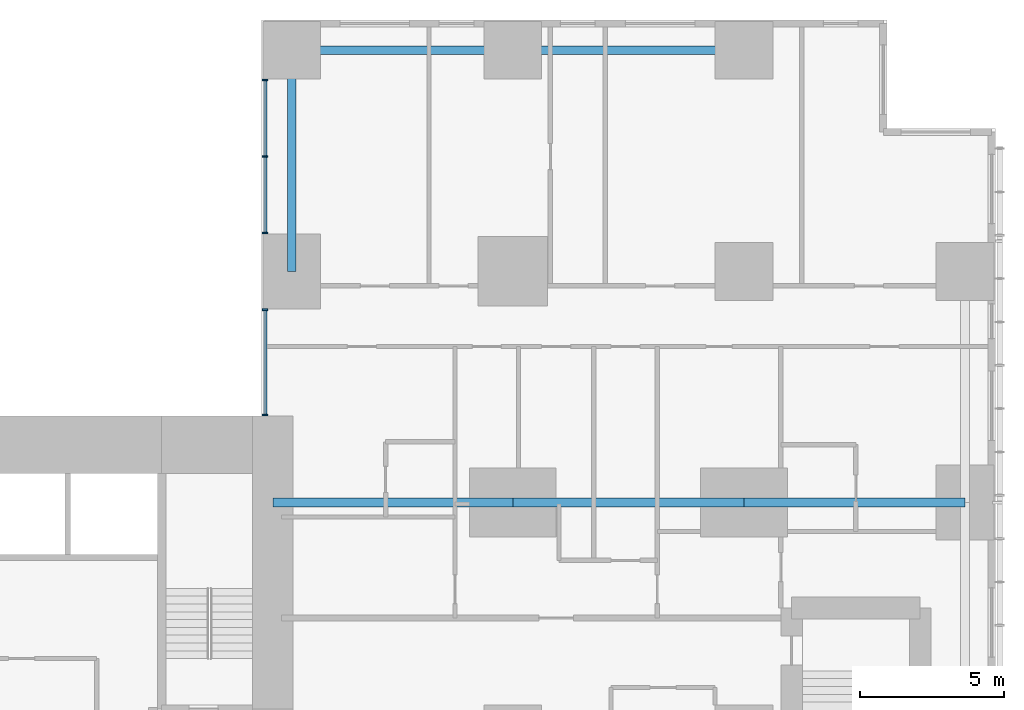
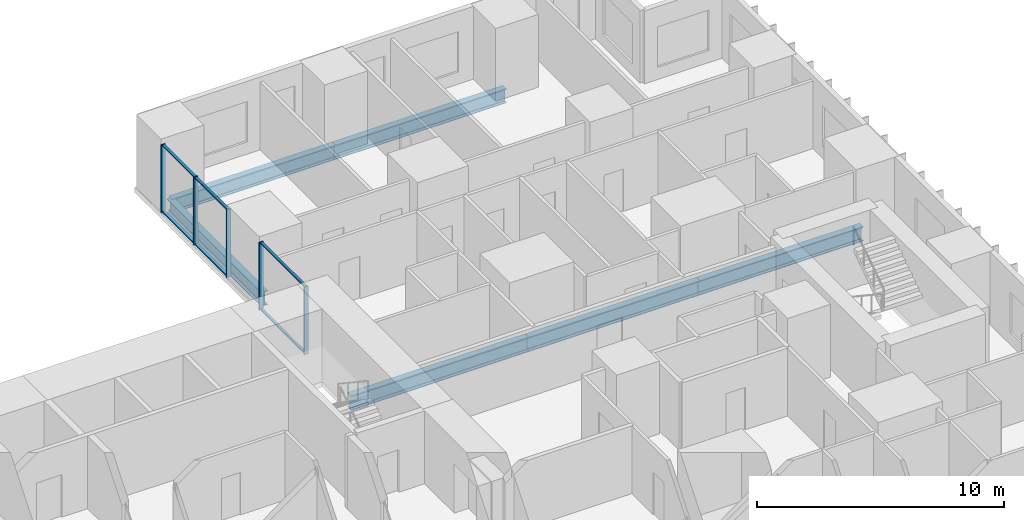
# One storey, part 5 of 22: 11 members, 6 beams, 2 elements without a shape of their own.
"""IFC4 building model written with IfcOpenShell, lengths in metres."""

from ifc_helpers import new_model, si_unit, direction, frame, origin, origin_2d, place, context, subcontext, project, spatial, rectangle, i_section, extrude, material, layer, layer_set, material_profile, profile_set, type_object, element, aggregate, save


model = new_model("IFC4")

# Units and contexts
model_context = context("Model", 3, precision=1e-05, world=origin(), true_north=direction((0.0, 1.0)))
body_context = subcontext(model_context, "Body", "Model", "MODEL_VIEW")
ifc_project = project(units=[si_unit("LENGTHUNIT", "METRE"), si_unit("AREAUNIT", "SQUARE_METRE"), si_unit("VOLUMEUNIT", "CUBIC_METRE"), si_unit("PLANEANGLEUNIT", "RADIAN"), si_unit("MASSUNIT", "GRAM", prefix="KILO")], contexts=[model_context])

# Site, building, storey
site_placement = place(None, origin())
site = spatial("IfcSite", under=ifc_project, at=site_placement, CompositionType="ELEMENT")
building_placement = place(site_placement, origin())
building = spatial("IfcBuilding", under=site, at=building_placement, Name="Cleftline Residences", CompositionType="ELEMENT")
storey_placement = place(building_placement, frame((0.0, 0.0, 29.60009765625)))
storey = spatial("IfcBuildingStorey", under=building, at=storey_placement, Name="L06", CompositionType="ELEMENT", Elevation=29.60009765625)

# Beams
ifc_material_1 = material(Name="Steel S355", Category="steel")
ifc_material_profile_1 = material_profile(ifc_material_1, i_section(OverallWidth=0.300048828125, OverallDepth=0.699951171875, WebThickness=0.01708984375, FlangeThickness=0.031982421875, FilletRadius=0.027099609375, at=origin_2d()))
ifc_profile_set_1 = profile_set([ifc_material_profile_1], Name="Steel S355")
beam_type_1 = type_object("IfcBeamType", Name="BEAM HEB 700", PredefinedType="BEAM", material=ifc_profile_set_1)
beam_1_placement = place(storey_placement, frame((58.0, 47.64990234375, -0.60009765625), z_axis=(-1.0, 0.0, 0.0), x_axis=(0.0, -1.0, 0.0)))
element("IfcBeam", 1, at=beam_1_placement, inside=storey, type_object=beam_type_1, Name="Edge beam", PredefinedType="BEAM", context=body_context, shape_type="SweptSolid", body=[
    extrude(i_section(OverallWidth=0.300048828125, OverallDepth=0.699951171875, WebThickness=0.01708984375, FlangeThickness=0.031982421875, FilletRadius=0.027099609375, at=origin_2d()), origin(), (0.0, 0.0, 1.0), 8.0),
])
for number, where, z_axis, x_axis, name in (
    (2, (50.0, 47.64990234375, -0.60009765625), (-1.0, 0.0, 0.0), (0.0, -1.0, 0.0), "Edge beam"),
    (3, (42.35009765625, 47.64990234375, -0.60009765625), (0.0, -1.0, 0.0), (1.0, 0.0, 0.0), "Edge beam"),
):
    element("IfcBeam", number, at=place(storey_placement, frame(where, z_axis=z_axis, x_axis=x_axis)), inside=storey, type_object=beam_type_1, Name=name, PredefinedType="BEAM", context=body_context, shape_type="SweptSolid", body=[
        extrude(i_section(OverallWidth=0.300048828125, OverallDepth=0.699951171875, WebThickness=0.01708984375, FlangeThickness=0.031982421875, FilletRadius=0.027099609375, at=origin_2d()), origin(), (0.0, 0.0, 1.0), 7.64990234375),
    ])
ifc_material_2 = material(Name="Steel S355", Category="steel")
ifc_material_profile_2 = material_profile(ifc_material_2, i_section(OverallWidth=0.303955078125, OverallDepth=0.716064453125, WebThickness=0.02099609375, FlangeThickness=0.0400390625, FilletRadius=0.027099609375, at=origin_2d()))
ifc_profile_set_2 = profile_set([ifc_material_profile_2], Name="Steel S355")
beam_type_2 = type_object("IfcBeamType", Name="BEAM HEM 700", PredefinedType="BEAM", material=ifc_profile_set_2)
beam_2_placement = place(storey_placement, frame((65.64990234375, 32.0, -0.608154296875), z_axis=(-1.0, 0.0, 0.0), x_axis=(0.0, -1.0, 0.0)))
element("IfcBeam", 4, at=beam_2_placement, inside=storey, type_object=beam_type_2, Name="Band beam", PredefinedType="BEAM", context=body_context, shape_type="SweptSolid", body=[
    extrude(i_section(OverallWidth=0.303955078125, OverallDepth=0.716064453125, WebThickness=0.02099609375, FlangeThickness=0.0400390625, FilletRadius=0.027099609375, at=origin_2d()), origin(), (0.0, 0.0, 1.0), 7.64990234375),
])
beam_3_placement = place(storey_placement, frame((58.0, 32.0, -0.608154296875), z_axis=(-1.0, 0.0, 0.0), x_axis=(0.0, -1.0, 0.0)))
element("IfcBeam", 5, at=beam_3_placement, inside=storey, type_object=beam_type_2, Name="Band beam", PredefinedType="BEAM", context=body_context, shape_type="SweptSolid", body=[
    extrude(i_section(OverallWidth=0.303955078125, OverallDepth=0.716064453125, WebThickness=0.02099609375, FlangeThickness=0.0400390625, FilletRadius=0.027099609375, at=origin_2d()), origin(), (0.0, 0.0, 1.0), 8.0),
])
beam_4_placement = place(storey_placement, frame((50.0, 32.0, -0.608154296875), z_axis=(-1.0, 0.0, 0.0), x_axis=(0.0, -1.0, 0.0)))
element("IfcBeam", 6, at=beam_4_placement, inside=storey, type_object=beam_type_2, Name="Band beam", PredefinedType="BEAM", context=body_context, shape_type="SweptSolid", body=[
    extrude(i_section(OverallWidth=0.303955078125, OverallDepth=0.716064453125, WebThickness=0.02099609375, FlangeThickness=0.0400390625, FilletRadius=0.027099609375, at=origin_2d()), origin(), (0.0, 0.0, 1.0), 8.300048828125),
])

# Curtain wall, members
ifc_material_3 = material(Name="Aluminium framed curtain wall", Category="aluminium")
ifc_layer = layer(ifc_material_3, 0.199951171875)
ifc_layer_set = layer_set([ifc_layer], Name="CW1 CLEFT GLAZING")
curtain_wall_type = type_object("IfcCurtainWallType", Name="CW1 CLEFT GLAZING", PredefinedType="NOTDEFINED", material=ifc_layer_set)
curtain_wall_1_placement = place(storey_placement, origin())
curtain_wall_1 = element("IfcCurtainWall", 7, at=curtain_wall_1_placement, inside=storey, type_object=curtain_wall_type, Name="Curtain wall CW1", PredefinedType="NOTDEFINED")
ifc_material_4 = material(Name="Aluminium mullion", Category="aluminium")
ifc_material_profile_3 = material_profile(ifc_material_4, rectangle(XDim=0.199951171875, YDim=0.06005859375, at=origin_2d()))
ifc_profile_set_3 = profile_set([ifc_material_profile_3], Name="Aluminium mullion")
member_type_1 = type_object("IfcMemberType", Name="CW1 MULLION", PredefinedType="MULLION", material=ifc_profile_set_3)
member_1_placement = place(storey_placement, frame((41.425048828125, 46.6201171875, 0.0), z_axis=(0.0, 0.0, 1.0), x_axis=(1.0, 0.0, 0.0)))
member_1 = element("IfcMember", 8, at=member_1_placement, type_object=member_type_1, Name="CW1 mullion 1", PredefinedType="MULLION", context=body_context, shape_type="SweptSolid", body=[
    extrude(rectangle(XDim=0.199951171875, YDim=0.06005859375, at=origin_2d()), origin(), (0.0, 0.0, 1.0), 3.349853515625),
])
member_2_placement = place(storey_placement, frame((41.425048828125, 43.97509765625, 0.0), z_axis=(0.0, 0.0, 1.0), x_axis=(1.0, 0.0, 0.0)))
member_2 = element("IfcMember", 9, at=member_2_placement, type_object=member_type_1, Name="CW1 mullion 2", PredefinedType="MULLION", context=body_context, shape_type="SweptSolid", body=[
    extrude(rectangle(XDim=0.199951171875, YDim=0.06005859375, at=origin_2d()), origin(), (0.0, 0.0, 1.0), 3.349853515625),
])
member_3_placement = place(storey_placement, frame((41.425048828125, 41.330078125, 0.0), z_axis=(0.0, 0.0, 1.0), x_axis=(1.0, 0.0, 0.0)))
member_3 = element("IfcMember", 10, at=member_3_placement, type_object=member_type_1, Name="CW1 mullion 3", PredefinedType="MULLION", context=body_context, shape_type="SweptSolid", body=[
    extrude(rectangle(XDim=0.199951171875, YDim=0.06005859375, at=origin_2d()), origin(), (0.0, 0.0, 1.0), 3.349853515625),
])

curtain_wall_2_placement = place(storey_placement, origin())
curtain_wall_2 = element("IfcCurtainWall", 11, at=curtain_wall_2_placement, inside=storey, type_object=curtain_wall_type, Name="Curtain wall CW1", PredefinedType="NOTDEFINED")
member_4_placement = place(storey_placement, frame((41.425048828125, 38.669921875, 0.0), z_axis=(0.0, 0.0, 1.0), x_axis=(1.0, 0.0, 0.0)))
member_4 = element("IfcMember", 12, at=member_4_placement, type_object=member_type_1, Name="CW1 mullion 1", PredefinedType="MULLION", context=body_context, shape_type="SweptSolid", body=[
    extrude(rectangle(XDim=0.199951171875, YDim=0.06005859375, at=origin_2d()), origin(), (0.0, 0.0, 1.0), 3.349853515625),
])
member_5_placement = place(storey_placement, frame((41.425048828125, 35.030029296875, 0.0), z_axis=(0.0, 0.0, 1.0), x_axis=(1.0, 0.0, 0.0)))
member_5 = element("IfcMember", 13, at=member_5_placement, type_object=member_type_1, Name="CW1 mullion 2", PredefinedType="MULLION", context=body_context, shape_type="SweptSolid", body=[
    extrude(rectangle(XDim=0.199951171875, YDim=0.06005859375, at=origin_2d()), origin(), (0.0, 0.0, 1.0), 3.349853515625),
])

# Member
ifc_material_5 = material(Name="Aluminium transom", Category="aluminium")
ifc_material_profile_4 = material_profile(ifc_material_5, rectangle(XDim=0.1201171875, YDim=0.06005859375, at=origin_2d()))
ifc_profile_set_4 = profile_set([ifc_material_profile_4], Name="Aluminium transom")
member_type_2 = type_object("IfcMemberType", Name="CW1 TRANSOM", PredefinedType="USERDEFINED", material=ifc_profile_set_4)
member_6_placement = place(storey_placement, frame((41.425048828125, 46.590087890625, 0.02978515625), z_axis=(0.0, -1.0, 0.0), x_axis=(1.0, 0.0, 0.0)))
member_6 = element("IfcMember", 14, at=member_6_placement, type_object=member_type_2, Name="CW1 transom 1.1", ObjectType="TRANSOM", PredefinedType="USERDEFINED", context=body_context, shape_type="SweptSolid", body=[
    extrude(rectangle(XDim=0.1201171875, YDim=0.06005859375, at=origin_2d()), origin(), (0.0, 0.0, 1.0), 2.585205078125),
])

member_7_placement = place(storey_placement, frame((41.425048828125, 46.590087890625, 3.31982421875), z_axis=(0.0, -1.0, 0.0), x_axis=(1.0, 0.0, 0.0)))
member_7 = element("IfcMember", 15, at=member_7_placement, type_object=member_type_2, Name="CW1 transom 1.2", ObjectType="TRANSOM", PredefinedType="USERDEFINED", context=body_context, shape_type="SweptSolid", body=[
    extrude(rectangle(XDim=0.1201171875, YDim=0.06005859375, at=origin_2d()), origin(), (0.0, 0.0, 1.0), 2.585205078125),
])

member_8_placement = place(storey_placement, frame((41.425048828125, 43.945068359375, 0.02978515625), z_axis=(0.0, -1.0, 0.0), x_axis=(1.0, 0.0, 0.0)))
member_8 = element("IfcMember", 16, at=member_8_placement, type_object=member_type_2, Name="CW1 transom 2.1", ObjectType="TRANSOM", PredefinedType="USERDEFINED", context=body_context, shape_type="SweptSolid", body=[
    extrude(rectangle(XDim=0.1201171875, YDim=0.06005859375, at=origin_2d()), origin(), (0.0, 0.0, 1.0), 2.5849609375),
])

member_9_placement = place(storey_placement, frame((41.425048828125, 43.945068359375, 3.31982421875), z_axis=(0.0, -1.0, 0.0), x_axis=(1.0, 0.0, 0.0)))
member_9 = element("IfcMember", 17, at=member_9_placement, type_object=member_type_2, Name="CW1 transom 2.2", ObjectType="TRANSOM", PredefinedType="USERDEFINED", context=body_context, shape_type="SweptSolid", body=[
    extrude(rectangle(XDim=0.1201171875, YDim=0.06005859375, at=origin_2d()), origin(), (0.0, 0.0, 1.0), 2.5849609375),
])

aggregate(curtain_wall_1, [member_1, member_2, member_3, member_6, member_7, member_8, member_9])

member_10_placement = place(storey_placement, frame((41.425048828125, 38.639892578125, 0.02978515625), z_axis=(0.0, -1.0, 0.0), x_axis=(1.0, 0.0, 0.0)))
member_10 = element("IfcMember", 18, at=member_10_placement, type_object=member_type_2, Name="CW1 transom 1.1", ObjectType="TRANSOM", PredefinedType="USERDEFINED", context=body_context, shape_type="SweptSolid", body=[
    extrude(rectangle(XDim=0.1201171875, YDim=0.06005859375, at=origin_2d()), origin(), (0.0, 0.0, 1.0), 3.579833984375),
])

member_11_placement = place(storey_placement, frame((41.425048828125, 38.639892578125, 3.31982421875), z_axis=(0.0, -1.0, 0.0), x_axis=(1.0, 0.0, 0.0)))
member_11 = element("IfcMember", 19, at=member_11_placement, type_object=member_type_2, Name="CW1 transom 1.2", ObjectType="TRANSOM", PredefinedType="USERDEFINED", context=body_context, shape_type="SweptSolid", body=[
    extrude(rectangle(XDim=0.1201171875, YDim=0.06005859375, at=origin_2d()), origin(), (0.0, 0.0, 1.0), 3.579833984375),
])

aggregate(curtain_wall_2, [member_4, member_5, member_10, member_11])

save(model, "model.ifc")
